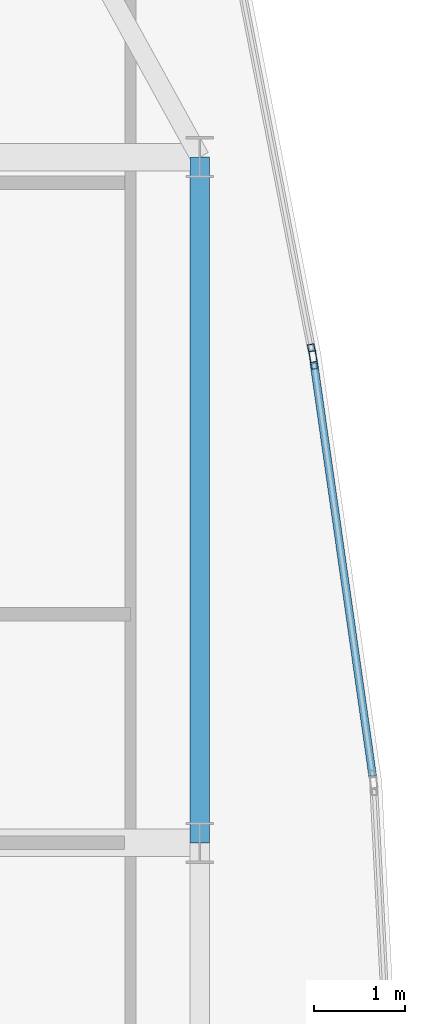
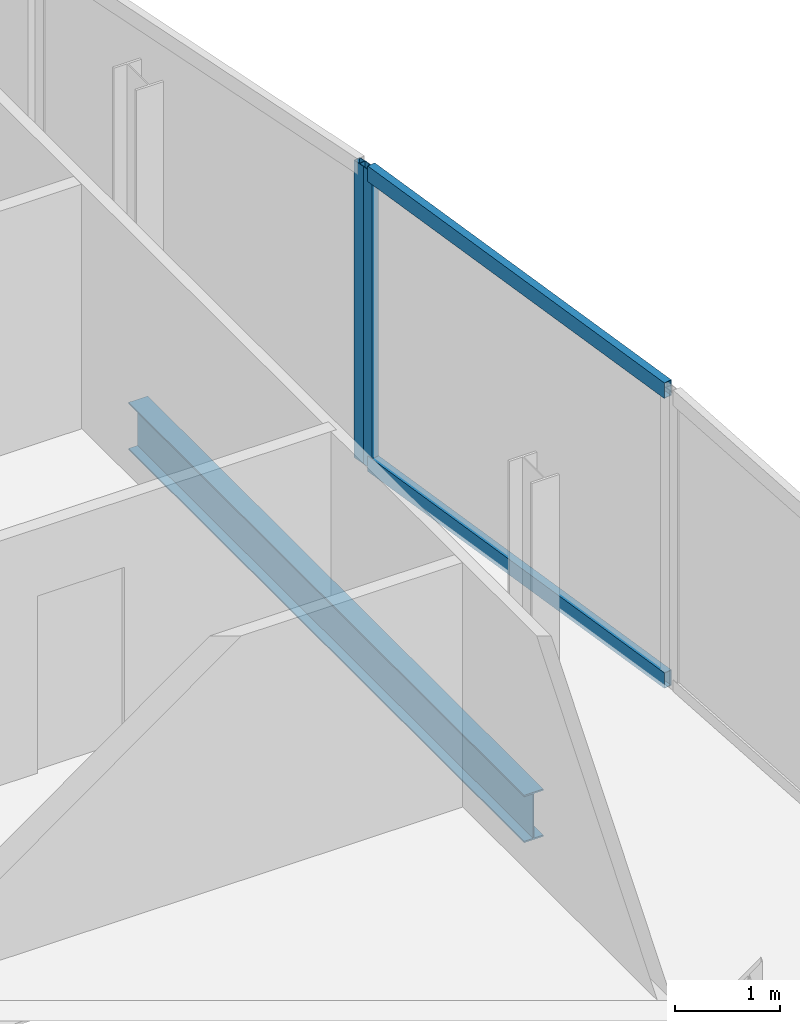
# One storey, part 17 of 27: 4 members, 1 beam, 2 elements without a shape of their own.
"""IFC4 building model written with IfcOpenShell, lengths in metres."""

import ifcopenshell
import ifcopenshell.guid

model = None  # the IFC model being written
_history = None  # IfcOwnerHistory: only IFC2X3 demands one
_inside = {}  # id of a spatial element -> (the spatial element, [elements in it])
_under = {}  # id of a project, library or spatial element -> (it, [spatial elements below it])
_declared = {}  # id of a project -> (the project, [libraries it declares])
_typed = {}  # id of a type object -> (the type object, [elements of that type])
_made_of = {}  # id of a material, layer set ... -> (it, [elements and type objects made of it])


def new_model(schema):
    """Start an empty IFC model of exactly this schema.

    Asked for "IFC4X3", IfcOpenShell would pick the latest addendum, in which some entities
    have other attributes; the version numbers below select the first issue.
    IFC2X3 requires an IfcOwnerHistory on every rooted entity: one is made here for all.
    """
    global model, _history
    if schema == "IFC4X3":
        model = ifcopenshell.file(schema_version=(4, 3, 0, 0))
    else:
        model = ifcopenshell.file(schema=schema)
    _inside.clear()
    _under.clear()
    _declared.clear()
    _typed.clear()
    _made_of.clear()
    _history = None
    if model.schema == "IFC2X3":
        org = make("IfcOrganization", Name="unknown")
        user = make(
            "IfcPersonAndOrganization",
            ThePerson=make("IfcPerson", FamilyName="unknown"),
            TheOrganization=org,
        )
        app = make(
            "IfcApplication",
            ApplicationDeveloper=org,
            Version="unknown",
            ApplicationFullName="unknown",
            ApplicationIdentifier="unknown",
        )
        _history = make(
            "IfcOwnerHistory",
            OwningUser=user,
            OwningApplication=app,
            ChangeAction="ADDED",
            CreationDate=0,
        )
    return model


def make(cls, **values):
    """One entity of the class cls with the attributes given. An attribute that is None is left unset."""
    return model.create_entity(
        cls, **{name: value for name, value in values.items() if value is not None}
    )


def rooted(cls, **values):
    """An entity with a GlobalId (a new one), such as an element, a storey or a relation."""
    return make(cls, GlobalId=ifcopenshell.guid.new(), OwnerHistory=_history, **values)


def si_unit(unit_type, name, prefix=None):
    """IfcSIUnit, for example si_unit("LENGTHUNIT", "METRE", prefix="MILLI")."""
    return make("IfcSIUnit", UnitType=unit_type, Prefix=prefix, Name=name)


def assignment(units):
    """IfcUnitAssignment: the units of a project."""
    return None if units is None else make("IfcUnitAssignment", Units=units)


def point(xyz):
    """IfcCartesianPoint."""
    return None if xyz is None else make("IfcCartesianPoint", Coordinates=xyz)


def direction(xyz):
    """IfcDirection."""
    return None if xyz is None else make("IfcDirection", DirectionRatios=xyz)


def frame(location, z_axis=None, x_axis=None):
    """IfcAxis2Placement3D, a coordinate frame: its origin and axes. An axis left out is left unset."""
    return make(
        "IfcAxis2Placement3D",
        Location=point(location),
        Axis=direction(z_axis),
        RefDirection=direction(x_axis),
    )


def frame_2d(location, x_axis=None):
    """IfcAxis2Placement2D, a coordinate frame in the plane: its origin and x axis."""
    return make(
        "IfcAxis2Placement2D", Location=point(location), RefDirection=direction(x_axis)
    )


def origin():
    """The frame at (0, 0, 0) with its axes left unset."""
    return frame((0.0, 0.0, 0.0))


def origin_2d():
    """The frame at (0, 0) in the plane with its x axis left unset."""
    return frame_2d((0.0, 0.0))


def place(relative_to, where):
    """IfcLocalPlacement: puts the frame where relative to a parent placement (None: the world)."""
    return make(
        "IfcLocalPlacement", PlacementRelTo=relative_to, RelativePlacement=where
    )


def context(
    kind, dimensions, precision=None, world=None, true_north=None, identifier=None
):
    """IfcGeometricRepresentationContext, for example the 3D "Model" context."""
    return make(
        "IfcGeometricRepresentationContext",
        ContextIdentifier=identifier,
        ContextType=kind,
        CoordinateSpaceDimension=dimensions,
        Precision=precision,
        WorldCoordinateSystem=world,
        TrueNorth=true_north,
    )


def subcontext(parent, identifier, kind, view, scale=None):
    """IfcGeometricRepresentationSubContext, for example "Body" below "Model"."""
    return make(
        "IfcGeometricRepresentationSubContext",
        ContextIdentifier=identifier,
        ContextType=kind,
        ParentContext=parent,
        TargetScale=scale,
        TargetView=view,
    )


def project(units=None, contexts=None):
    """IfcProject with its units and contexts."""
    return rooted(
        "IfcProject",
        Name="project",
        RepresentationContexts=contexts,
        UnitsInContext=assignment(units),
    )


def spatial(cls, under=None, at=None, **own):
    """A site, building, storey or space (cls), placed at a placement, below another one or the project."""
    s = rooted(cls, ObjectPlacement=at, **own)
    if under is not None:
        _under.setdefault(under.id(), (under, []))[1].append(s)
    return s


def profile(cls, at=None, kind="AREA", **sizes):
    """A parametric profile (cls). Its sizes go by their IFC names, for example OverallWidth=200.0."""
    return make(cls, ProfileType=kind, Position=at, **sizes)


def hollow_rectangle(**sizes):
    """IfcRectangleHollowProfileDef."""
    return profile("IfcRectangleHollowProfileDef", **sizes)


def i_section(**sizes):
    """IfcIShapeProfileDef."""
    return profile("IfcIShapeProfileDef", **sizes)


def extrude(swept, where, along, depth):
    """IfcExtrudedAreaSolid: the profile swept, set in the frame where, extruded along a direction by depth."""
    return make(
        "IfcExtrudedAreaSolid",
        SweptArea=swept,
        Position=where,
        ExtrudedDirection=direction(along),
        Depth=depth,
    )


def shape(context_of_items, identifier, shape_type, items):
    """IfcShapeRepresentation: the items that make up one representation, for example the "Body"."""
    return make(
        "IfcShapeRepresentation",
        ContextOfItems=context_of_items,
        RepresentationIdentifier=identifier,
        RepresentationType=shape_type,
        Items=items,
    )


def material(Name=None, Category=None):
    """IfcMaterial."""
    return make("IfcMaterial", Name=Name, Category=Category)


def material_profile(
    of_material, cross_section, Name=None, Category=None, Priority=None
):
    """IfcMaterialProfile: a cross section and its material."""
    return make(
        "IfcMaterialProfile",
        Name=Name,
        Material=of_material,
        Profile=cross_section,
        Priority=Priority,
        Category=Category,
    )


def profile_set(profiles, Name=None, composite=None):
    """IfcMaterialProfileSet."""
    return make(
        "IfcMaterialProfileSet",
        Name=Name,
        MaterialProfiles=profiles,
        CompositeProfile=composite,
    )


def made_of(thing, what):
    """Note that an element or type object is made of a material, layer set ...; save() writes the relation."""
    if what is not None:
        _made_of.setdefault(what.id(), (what, []))[1].append(thing)
    return thing


def type_object(cls, material=None, **own):
    """A type object (cls), such as IfcWallType, which elements share."""
    return made_of(rooted(cls, **own), material)


def element(
    cls,
    number,
    at=None,
    inside=None,
    cuts=None,
    type_object=None,
    material=None,
    context=None,
    identifier="Body",
    shape_type=None,
    held_by="IfcProductDefinitionShape",
    body=None,
    shapes=None,
    **own,
):
    """One element of the class cls, such as IfcWall. Its Tag is "e" and its number.

    at: its placement. inside: the storey or other place that contains it. cuts: it is an
    opening in that element (IfcRelVoidsElement). A single representation is given by context,
    identifier, shape_type and body (its items); several are given by shapes. held_by: the class
    of the entity that holds the representations. save() writes the other relations.
    """
    e = rooted(cls, Tag="e%d" % number, ObjectPlacement=at, **own)
    if body is not None:
        shapes = [shape(context, identifier, shape_type, body)]
    if shapes is not None:
        e.Representation = make(held_by, Representations=shapes)
    if inside is not None:
        _inside.setdefault(inside.id(), (inside, []))[1].append(e)
    if cuts is not None:
        rooted(
            "IfcRelVoidsElement", RelatingBuildingElement=cuts, RelatedOpeningElement=e
        )
    if type_object is not None:
        _typed.setdefault(type_object.id(), (type_object, []))[1].append(e)
    return made_of(e, material)


def aggregate(whole, parts):
    """IfcRelAggregates: a whole, such as a stair, and the parts it consists of."""
    return rooted("IfcRelAggregates", RelatingObject=whole, RelatedObjects=parts)


def save(model, path):
    """Write the relations noted so far, then the file.

    IfcRelAggregates (storeys below a building ...), IfcRelContainedInSpatialStructure (elements
    in a storey), IfcRelDefinesByType, IfcRelAssociatesMaterial and IfcRelDeclares: one each for
    every whole, place, type object, material and project.
    """
    for whole, parts in _under.values():
        aggregate(whole, parts)
    for where, things in _inside.values():
        rooted(
            "IfcRelContainedInSpatialStructure",
            RelatedElements=things,
            RelatingStructure=where,
        )
    for kind, things in _typed.values():
        rooted("IfcRelDefinesByType", RelatedObjects=things, RelatingType=kind)
    for what, things in _made_of.values():
        rooted("IfcRelAssociatesMaterial", RelatedObjects=things, RelatingMaterial=what)
    for by, libraries in _declared.values():
        rooted("IfcRelDeclares", RelatingContext=by, RelatedDefinitions=libraries)
    model.write(path)


model = new_model("IFC4")

# Units and contexts
model_context = context("Model", 3, precision=1e-05, world=origin(), true_north=direction((0.0, 1.0)))
body_context = subcontext(model_context, "Body", "Model", "MODEL_VIEW")
ifc_project = project(units=[si_unit("LENGTHUNIT", "METRE"), si_unit("AREAUNIT", "SQUARE_METRE"), si_unit("VOLUMEUNIT", "CUBIC_METRE"), si_unit("PLANEANGLEUNIT", "RADIAN"), si_unit("MASSUNIT", "GRAM", prefix="KILO")], contexts=[model_context])

# Site, building, storey
site_placement = place(None, origin())
site = spatial("IfcSite", under=ifc_project, at=site_placement, CompositionType="ELEMENT")
building_placement = place(site_placement, origin())
building = spatial("IfcBuilding", under=site, at=building_placement, Name="Khoronbel Lancet Exchange", CompositionType="ELEMENT")
storey_placement = place(building_placement, frame((0.0, 0.0, 332.60009765625)))
storey = spatial("IfcBuildingStorey", under=building, at=storey_placement, Name="L86", CompositionType="ELEMENT", Elevation=332.60009765625)

# Beam
ifc_material_1 = material(Name="Steel S355", Category="steel")
ifc_material_profile_1 = material_profile(ifc_material_1, i_section(OverallWidth=0.2099609375, OverallDepth=0.550048828125, WebThickness=0.010986328125, FlangeThickness=0.01708984375, at=origin_2d()), Name="IPE 550")
ifc_profile_set_1 = profile_set([ifc_material_profile_1], Name="Steel S355")
beam_type = type_object("IfcBeamType", Name="BM-BSP3", PredefinedType="SPANDREL", material=ifc_profile_set_1)
beam_placement = place(storey_placement, frame((61.6298828125, 35.699951171875, -0.43505859375), z_axis=(0.0, 1.0, 0.0), x_axis=(-1.0, 0.0, 0.0)))
element("IfcBeam", 1, at=beam_placement, inside=storey, type_object=beam_type, Name="Level L86 perimeter spandrel beam SP12", PredefinedType="SPANDREL", context=body_context, shape_type="SweptSolid", body=[
    extrude(i_section(OverallWidth=0.2099609375, OverallDepth=0.550048828125, WebThickness=0.010986328125, FlangeThickness=0.01708984375, at=origin_2d()), origin(), (0.0, 0.0, 1.0), 7.5),
])

# Curtain wall, member
ifc_material_2 = material(Name="Low-E Solar Control Insulating Glass", Category="glass")
curtain_wall_type = type_object("IfcCurtainWallType", Name="CW-4", PredefinedType="NOTDEFINED", material=ifc_material_2)
curtain_wall_1_placement = place(storey_placement, origin())
curtain_wall_1 = element("IfcCurtainWall", 2, at=curtain_wall_1_placement, inside=storey, type_object=curtain_wall_type, Name="Unitised curtain wall CW-L86-E17", PredefinedType="NOTDEFINED")
ifc_material_3 = material(Name="Bronze-Anodised Aluminium 6063-T6", Category="aluminium")
ifc_material_profile_2 = material_profile(ifc_material_3, hollow_rectangle(XDim=0.074951171875, YDim=0.199951171875, WallThickness=0.0048828125, at=origin_2d()), Name="ALU MULLION 75x200")
ifc_profile_set_2 = profile_set([ifc_material_profile_2], Name="Bronze-Anodised Aluminium 6063-T6")
member_type_1 = type_object("IfcMemberType", Name="MEM-CWM2", PredefinedType="MULLION", material=ifc_profile_set_2)
member_1_placement = place(storey_placement, frame((62.860595703125, 41.05517578125, 0.0), z_axis=(0.0, 0.0, 1.0), x_axis=(0.981647628416, 0.190703785032, 0.0)))
member_1 = element("IfcMember", 3, at=member_1_placement, type_object=member_type_1, Name="CW4 mullion 2", PredefinedType="MULLION", context=body_context, shape_type="SweptSolid", body=[
    extrude(hollow_rectangle(XDim=0.074951171875, YDim=0.199951171875, WallThickness=0.0048828125, at=origin_2d()), origin(), (0.0, 0.0, 1.0), 3.43994140625),
])
aggregate(curtain_wall_1, [member_1])

# Curtain wall, members
curtain_wall_2_placement = place(storey_placement, origin())
curtain_wall_2 = element("IfcCurtainWall", 4, at=curtain_wall_2_placement, inside=storey, type_object=curtain_wall_type, Name="Unitised curtain wall CW-L86-E18", PredefinedType="NOTDEFINED")
member_2_placement = place(storey_placement, frame((62.873046875, 40.981201171875, 0.0), z_axis=(0.0, 0.0, 1.0), x_axis=(0.990037673837, 0.140802714401, 0.0)))
member_2 = element("IfcMember", 5, at=member_2_placement, type_object=member_type_1, Name="CW4 mullion 1", PredefinedType="MULLION", context=body_context, shape_type="SweptSolid", body=[
    extrude(hollow_rectangle(XDim=0.074951171875, YDim=0.199951171875, WallThickness=0.0048828125, at=origin_2d()), origin(), (0.0, 0.0, 1.0), 3.43994140625),
])
ifc_material_profile_3 = material_profile(ifc_material_3, hollow_rectangle(XDim=0.0849609375, YDim=0.179931640625, WallThickness=0.0048828125, at=origin_2d()), Name="ALU TRANSOM 85x180")
ifc_profile_set_3 = profile_set([ifc_material_profile_3], Name="Bronze-Anodised Aluminium 6063-T6")
member_type_2 = type_object("IfcMemberType", Name="MEM-CWT1", PredefinedType="USERDEFINED", material=ifc_profile_set_3)
member_3_placement = place(storey_placement, frame((62.87841796875, 40.944091796875, 0.04248046875), z_axis=(0.14079130259, -0.990039296753, 0.0), x_axis=(0.990039296753, 0.14079130259, 0.0)))
member_3 = element("IfcMember", 6, at=member_3_placement, type_object=member_type_2, Name="CW4 transom 1.1", ObjectType="TRANSOM", PredefinedType="USERDEFINED", context=body_context, shape_type="SweptSolid", body=[
    extrude(hollow_rectangle(XDim=0.0849609375, YDim=0.179931640625, WallThickness=0.0048828125, at=origin_2d()), origin(), (0.0, 0.0, 1.0), 4.55712890625),
])
member_4_placement = place(storey_placement, frame((62.87841796875, 40.944091796875, 3.3974609375), z_axis=(0.14079130259, -0.990039296753, 0.0), x_axis=(0.990039296753, 0.14079130259, 0.0)))
member_4 = element("IfcMember", 7, at=member_4_placement, type_object=member_type_2, Name="CW4 transom 1.2", ObjectType="TRANSOM", PredefinedType="USERDEFINED", context=body_context, shape_type="SweptSolid", body=[
    extrude(hollow_rectangle(XDim=0.0849609375, YDim=0.179931640625, WallThickness=0.0048828125, at=origin_2d()), origin(), (0.0, 0.0, 1.0), 4.55712890625),
])
aggregate(curtain_wall_2, [member_2, member_3, member_4])

save(model, "model.ifc")
